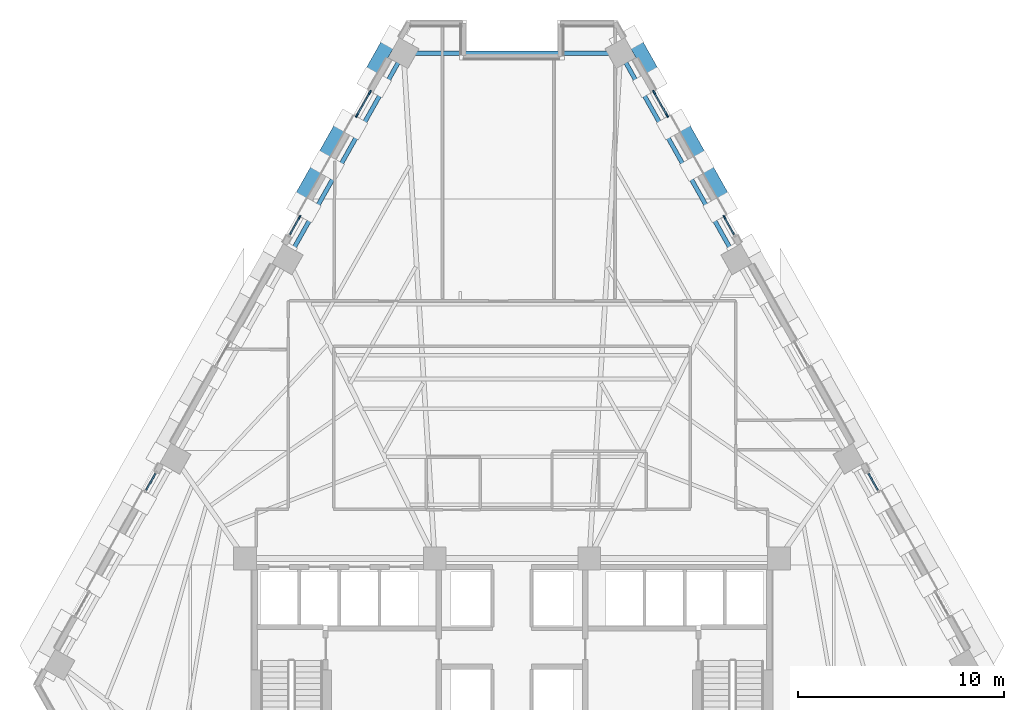
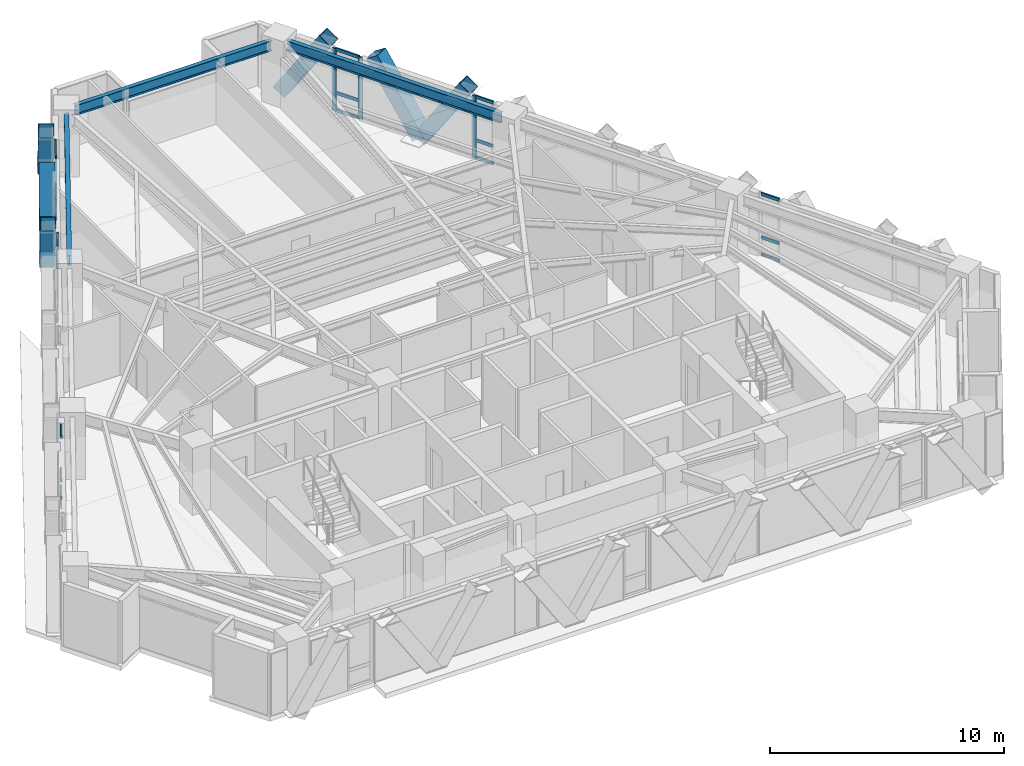
# One storey, part 5 of 13: 30 members, 3 beams, 6 elements without a shape of their own.
"""IFC4 building model written with IfcOpenShell, lengths in metres."""

import ifcopenshell
import ifcopenshell.guid

model = None  # the IFC model being written
_history = None  # IfcOwnerHistory: only IFC2X3 demands one
_inside = {}  # id of a spatial element -> (the spatial element, [elements in it])
_under = {}  # id of a project, library or spatial element -> (it, [spatial elements below it])
_declared = {}  # id of a project -> (the project, [libraries it declares])
_typed = {}  # id of a type object -> (the type object, [elements of that type])
_made_of = {}  # id of a material, layer set ... -> (it, [elements and type objects made of it])


def new_model(schema):
    """Start an empty IFC model of exactly this schema.

    Asked for "IFC4X3", IfcOpenShell would pick the latest addendum, in which some entities
    have other attributes; the version numbers below select the first issue.
    IFC2X3 requires an IfcOwnerHistory on every rooted entity: one is made here for all.
    """
    global model, _history
    if schema == "IFC4X3":
        model = ifcopenshell.file(schema_version=(4, 3, 0, 0))
    else:
        model = ifcopenshell.file(schema=schema)
    _inside.clear()
    _under.clear()
    _declared.clear()
    _typed.clear()
    _made_of.clear()
    _history = None
    if model.schema == "IFC2X3":
        org = make("IfcOrganization", Name="unknown")
        user = make(
            "IfcPersonAndOrganization",
            ThePerson=make("IfcPerson", FamilyName="unknown"),
            TheOrganization=org,
        )
        app = make(
            "IfcApplication",
            ApplicationDeveloper=org,
            Version="unknown",
            ApplicationFullName="unknown",
            ApplicationIdentifier="unknown",
        )
        _history = make(
            "IfcOwnerHistory",
            OwningUser=user,
            OwningApplication=app,
            ChangeAction="ADDED",
            CreationDate=0,
        )
    return model


def make(cls, **values):
    """One entity of the class cls with the attributes given. An attribute that is None is left unset."""
    return model.create_entity(
        cls, **{name: value for name, value in values.items() if value is not None}
    )


def rooted(cls, **values):
    """An entity with a GlobalId (a new one), such as an element, a storey or a relation."""
    return make(cls, GlobalId=ifcopenshell.guid.new(), OwnerHistory=_history, **values)


def si_unit(unit_type, name, prefix=None):
    """IfcSIUnit, for example si_unit("LENGTHUNIT", "METRE", prefix="MILLI")."""
    return make("IfcSIUnit", UnitType=unit_type, Prefix=prefix, Name=name)


def assignment(units):
    """IfcUnitAssignment: the units of a project."""
    return None if units is None else make("IfcUnitAssignment", Units=units)


def point(xyz):
    """IfcCartesianPoint."""
    return None if xyz is None else make("IfcCartesianPoint", Coordinates=xyz)


def direction(xyz):
    """IfcDirection."""
    return None if xyz is None else make("IfcDirection", DirectionRatios=xyz)


def frame(location, z_axis=None, x_axis=None):
    """IfcAxis2Placement3D, a coordinate frame: its origin and axes. An axis left out is left unset."""
    return make(
        "IfcAxis2Placement3D",
        Location=point(location),
        Axis=direction(z_axis),
        RefDirection=direction(x_axis),
    )


def frame_2d(location, x_axis=None):
    """IfcAxis2Placement2D, a coordinate frame in the plane: its origin and x axis."""
    return make(
        "IfcAxis2Placement2D", Location=point(location), RefDirection=direction(x_axis)
    )


def origin():
    """The frame at (0, 0, 0) with its axes left unset."""
    return frame((0.0, 0.0, 0.0))


def origin_2d():
    """The frame at (0, 0) in the plane with its x axis left unset."""
    return frame_2d((0.0, 0.0))


def place(relative_to, where):
    """IfcLocalPlacement: puts the frame where relative to a parent placement (None: the world)."""
    return make(
        "IfcLocalPlacement", PlacementRelTo=relative_to, RelativePlacement=where
    )


def context(
    kind, dimensions, precision=None, world=None, true_north=None, identifier=None
):
    """IfcGeometricRepresentationContext, for example the 3D "Model" context."""
    return make(
        "IfcGeometricRepresentationContext",
        ContextIdentifier=identifier,
        ContextType=kind,
        CoordinateSpaceDimension=dimensions,
        Precision=precision,
        WorldCoordinateSystem=world,
        TrueNorth=true_north,
    )


def subcontext(parent, identifier, kind, view, scale=None):
    """IfcGeometricRepresentationSubContext, for example "Body" below "Model"."""
    return make(
        "IfcGeometricRepresentationSubContext",
        ContextIdentifier=identifier,
        ContextType=kind,
        ParentContext=parent,
        TargetScale=scale,
        TargetView=view,
    )


def project(units=None, contexts=None):
    """IfcProject with its units and contexts."""
    return rooted(
        "IfcProject",
        Name="project",
        RepresentationContexts=contexts,
        UnitsInContext=assignment(units),
    )


def spatial(cls, under=None, at=None, **own):
    """A site, building, storey or space (cls), placed at a placement, below another one or the project."""
    s = rooted(cls, ObjectPlacement=at, **own)
    if under is not None:
        _under.setdefault(under.id(), (under, []))[1].append(s)
    return s


def profile(cls, at=None, kind="AREA", **sizes):
    """A parametric profile (cls). Its sizes go by their IFC names, for example OverallWidth=200.0."""
    return make(cls, ProfileType=kind, Position=at, **sizes)


def rectangle(**sizes):
    """IfcRectangleProfileDef."""
    return profile("IfcRectangleProfileDef", **sizes)


def hollow_rectangle(**sizes):
    """IfcRectangleHollowProfileDef."""
    return profile("IfcRectangleHollowProfileDef", **sizes)


def i_section(**sizes):
    """IfcIShapeProfileDef."""
    return profile("IfcIShapeProfileDef", **sizes)


def extrude(swept, where, along, depth):
    """IfcExtrudedAreaSolid: the profile swept, set in the frame where, extruded along a direction by depth."""
    return make(
        "IfcExtrudedAreaSolid",
        SweptArea=swept,
        Position=where,
        ExtrudedDirection=direction(along),
        Depth=depth,
    )


def shape(context_of_items, identifier, shape_type, items):
    """IfcShapeRepresentation: the items that make up one representation, for example the "Body"."""
    return make(
        "IfcShapeRepresentation",
        ContextOfItems=context_of_items,
        RepresentationIdentifier=identifier,
        RepresentationType=shape_type,
        Items=items,
    )


def material(Name=None, Category=None):
    """IfcMaterial."""
    return make("IfcMaterial", Name=Name, Category=Category)


def material_profile(
    of_material, cross_section, Name=None, Category=None, Priority=None
):
    """IfcMaterialProfile: a cross section and its material."""
    return make(
        "IfcMaterialProfile",
        Name=Name,
        Material=of_material,
        Profile=cross_section,
        Priority=Priority,
        Category=Category,
    )


def profile_set(profiles, Name=None, composite=None):
    """IfcMaterialProfileSet."""
    return make(
        "IfcMaterialProfileSet",
        Name=Name,
        MaterialProfiles=profiles,
        CompositeProfile=composite,
    )


def made_of(thing, what):
    """Note that an element or type object is made of a material, layer set ...; save() writes the relation."""
    if what is not None:
        _made_of.setdefault(what.id(), (what, []))[1].append(thing)
    return thing


def type_object(cls, material=None, **own):
    """A type object (cls), such as IfcWallType, which elements share."""
    return made_of(rooted(cls, **own), material)


def element(
    cls,
    number,
    at=None,
    inside=None,
    cuts=None,
    type_object=None,
    material=None,
    context=None,
    identifier="Body",
    shape_type=None,
    held_by="IfcProductDefinitionShape",
    body=None,
    shapes=None,
    **own,
):
    """One element of the class cls, such as IfcWall. Its Tag is "e" and its number.

    at: its placement. inside: the storey or other place that contains it. cuts: it is an
    opening in that element (IfcRelVoidsElement). A single representation is given by context,
    identifier, shape_type and body (its items); several are given by shapes. held_by: the class
    of the entity that holds the representations. save() writes the other relations.
    """
    e = rooted(cls, Tag="e%d" % number, ObjectPlacement=at, **own)
    if body is not None:
        shapes = [shape(context, identifier, shape_type, body)]
    if shapes is not None:
        e.Representation = make(held_by, Representations=shapes)
    if inside is not None:
        _inside.setdefault(inside.id(), (inside, []))[1].append(e)
    if cuts is not None:
        rooted(
            "IfcRelVoidsElement", RelatingBuildingElement=cuts, RelatedOpeningElement=e
        )
    if type_object is not None:
        _typed.setdefault(type_object.id(), (type_object, []))[1].append(e)
    return made_of(e, material)


def aggregate(whole, parts):
    """IfcRelAggregates: a whole, such as a stair, and the parts it consists of."""
    return rooted("IfcRelAggregates", RelatingObject=whole, RelatedObjects=parts)


def save(model, path):
    """Write the relations noted so far, then the file.

    IfcRelAggregates (storeys below a building ...), IfcRelContainedInSpatialStructure (elements
    in a storey), IfcRelDefinesByType, IfcRelAssociatesMaterial and IfcRelDeclares: one each for
    every whole, place, type object, material and project.
    """
    for whole, parts in _under.values():
        aggregate(whole, parts)
    for where, things in _inside.values():
        rooted(
            "IfcRelContainedInSpatialStructure",
            RelatedElements=things,
            RelatingStructure=where,
        )
    for kind, things in _typed.values():
        rooted("IfcRelDefinesByType", RelatedObjects=things, RelatingType=kind)
    for what, things in _made_of.values():
        rooted("IfcRelAssociatesMaterial", RelatedObjects=things, RelatingMaterial=what)
    for by, libraries in _declared.values():
        rooted("IfcRelDeclares", RelatingContext=by, RelatedDefinitions=libraries)
    model.write(path)


model = new_model("IFC4")

# Units and contexts
model_context = context("Model", 3, precision=1e-05, world=origin(), true_north=direction((0.0, 1.0)))
body_context = subcontext(model_context, "Body", "Model", "MODEL_VIEW")
ifc_project = project(units=[si_unit("LENGTHUNIT", "METRE"), si_unit("AREAUNIT", "SQUARE_METRE"), si_unit("VOLUMEUNIT", "CUBIC_METRE"), si_unit("PLANEANGLEUNIT", "RADIAN"), si_unit("MASSUNIT", "GRAM", prefix="KILO")], contexts=[model_context])

# Site, building, storey
site_placement = place(None, origin())
site = spatial("IfcSite", under=ifc_project, at=site_placement, CompositionType="ELEMENT")
building_placement = place(site_placement, origin())
building = spatial("IfcBuilding", under=site, at=building_placement, Name="Quenlor Broadcast Tower", CompositionType="ELEMENT")
storey_placement = place(building_placement, frame((0.0, 0.0, 76.60009765625)))
storey = spatial("IfcBuildingStorey", under=building, at=storey_placement, Name="L20", CompositionType="ELEMENT", Elevation=76.60009765625)

# Curtain wall, members
ifc_material_1 = material(Name="Architectural Terracotta and Low-E Glazing", Category="masonry")
curtain_wall_type = type_object("IfcCurtainWallType", Name="Unitised Terracotta Curtain Wall System Z2", PredefinedType="NOTDEFINED", material=ifc_material_1)
curtain_wall_1_placement = place(storey_placement, origin())
curtain_wall_1 = element("IfcCurtainWall", 1, at=curtain_wall_1_placement, inside=storey, type_object=curtain_wall_type, Name="L20 Curtain Wall CW2 (L20-NEA-G1)", PredefinedType="NOTDEFINED")
ifc_material_2 = material(Name="Aluminium 6063-T6", Category="aluminium")
ifc_material_profile_1 = material_profile(ifc_material_2, rectangle(XDim=0.074951171875, YDim=0.199951171875, at=origin_2d()))
ifc_profile_set_1 = profile_set([ifc_material_profile_1], Name="Aluminium 6063-T6 MULL75x200")
member_type_1 = type_object("IfcMemberType", Name="CW2 Aluminium Mullion MULL_CW2", PredefinedType="MULLION", material=ifc_profile_set_1)
member_1_placement = place(storey_placement, frame((6.893310546875, 17.81884765625, 0.0), z_axis=(0.0, 0.0, 1.0), x_axis=(0.871583366376, 0.490247320704, 0.0)))
member_1 = element("IfcMember", 2, at=member_1_placement, type_object=member_type_1, Name="CW2 mullion 1", PredefinedType="MULLION", context=body_context, shape_type="SweptSolid", body=[
    extrude(rectangle(XDim=0.074951171875, YDim=0.199951171875, at=origin_2d()), origin(), (0.0, 0.0, 1.0), 3.25),
])
member_2_placement = place(storey_placement, frame((7.525390625, 16.695068359375, 0.0), z_axis=(0.0, 0.0, 1.0), x_axis=(0.871583366376, 0.490247320704, 0.0)))
member_2 = element("IfcMember", 3, at=member_2_placement, type_object=member_type_1, Name="CW2 mullion 2", PredefinedType="MULLION", context=body_context, shape_type="SweptSolid", body=[
    extrude(rectangle(XDim=0.074951171875, YDim=0.199951171875, at=origin_2d()), origin(), (0.0, 0.0, 1.0), 3.25),
])

# Curtain wall, member
curtain_wall_2_placement = place(storey_placement, origin())
curtain_wall_2 = element("IfcCurtainWall", 4, at=curtain_wall_2_placement, inside=storey, type_object=curtain_wall_type, Name="L20 Curtain Wall CW2 (L20-NEA-G2)", PredefinedType="NOTDEFINED")
member_3_placement = place(storey_placement, frame((10.306396484375, 11.751220703125, 0.0), z_axis=(0.0, 0.0, 1.0), x_axis=(0.871580587336, 0.490252261371, 0.0)))
member_3 = element("IfcMember", 5, at=member_3_placement, type_object=member_type_1, Name="CW2 mullion 1", PredefinedType="MULLION", context=body_context, shape_type="SweptSolid", body=[
    extrude(rectangle(XDim=0.074951171875, YDim=0.199951171875, at=origin_2d()), origin(), (0.0, 0.0, 1.0), 3.25),
])

curtain_wall_3_placement = place(storey_placement, origin())
curtain_wall_3 = element("IfcCurtainWall", 6, at=curtain_wall_3_placement, inside=storey, type_object=curtain_wall_type, Name="L20 Curtain Wall CW2 (L20-NWC-G1)", PredefinedType="NOTDEFINED")
member_4_placement = place(storey_placement, frame((-10.306396484375, 11.751220703125, 0.0), z_axis=(0.0, 0.0, 1.0), x_axis=(-0.871580587336, 0.490252261371, 0.0)))
member_4 = element("IfcMember", 7, at=member_4_placement, type_object=member_type_1, Name="CW2 mullion 2", PredefinedType="MULLION", context=body_context, shape_type="SweptSolid", body=[
    extrude(rectangle(XDim=0.074951171875, YDim=0.199951171875, at=origin_2d()), origin(), (0.0, 0.0, 1.0), 3.25),
])

# Curtain wall, members
curtain_wall_4_placement = place(storey_placement, origin())
curtain_wall_4 = element("IfcCurtainWall", 8, at=curtain_wall_4_placement, inside=storey, type_object=curtain_wall_type, Name="L20 Curtain Wall CW2 (L20-NWC-G2)", PredefinedType="NOTDEFINED")
member_5_placement = place(storey_placement, frame((-7.525390625, 16.695068359375, 0.0), z_axis=(0.0, 0.0, 1.0), x_axis=(-0.871583366376, 0.490247320704, 0.0)))
member_5 = element("IfcMember", 9, at=member_5_placement, type_object=member_type_1, Name="CW2 mullion 1", PredefinedType="MULLION", context=body_context, shape_type="SweptSolid", body=[
    extrude(rectangle(XDim=0.074951171875, YDim=0.199951171875, at=origin_2d()), origin(), (0.0, 0.0, 1.0), 3.25),
])
member_6_placement = place(storey_placement, frame((-6.893310546875, 17.81884765625, 0.0), z_axis=(0.0, 0.0, 1.0), x_axis=(-0.871583366376, 0.490247320704, 0.0)))
member_6 = element("IfcMember", 10, at=member_6_placement, type_object=member_type_1, Name="CW2 mullion 2", PredefinedType="MULLION", context=body_context, shape_type="SweptSolid", body=[
    extrude(rectangle(XDim=0.074951171875, YDim=0.199951171875, at=origin_2d()), origin(), (0.0, 0.0, 1.0), 3.25),
])

# Member
ifc_material_3 = material(Name="Aluminium 6063-T6", Category="aluminium")
ifc_material_profile_2 = material_profile(ifc_material_3, rectangle(XDim=0.074951171875, YDim=0.1650390625, at=origin_2d()))
ifc_profile_set_2 = profile_set([ifc_material_profile_2], Name="Aluminium 6063-T6 TRAN75x165")
member_type_2 = type_object("IfcMemberType", Name="CW2 Aluminium Transom TRAN_CW2", PredefinedType="USERDEFINED", material=ifc_profile_set_2)
member_7_placement = place(storey_placement, frame((6.91162109375, 17.7861328125, 0.037353515625), z_axis=(0.490347143438, -0.871527210661, 0.0), x_axis=(0.871527210661, 0.490347143438, 0.0)))
member_7 = element("IfcMember", 11, at=member_7_placement, type_object=member_type_2, Name="CW2 transom 1.1", ObjectType="TRANSOM", PredefinedType="USERDEFINED", context=body_context, shape_type="SweptSolid", body=[
    extrude(rectangle(XDim=0.074951171875, YDim=0.1650390625, at=origin_2d()), origin(), (0.0, 0.0, 1.0), 1.21435546875),
])

member_8_placement = place(storey_placement, frame((6.91162109375, 17.7861328125, 0.949951171875), z_axis=(0.490347143438, -0.871527210661, 0.0), x_axis=(0.871527210661, 0.490347143438, 0.0)))
member_8 = element("IfcMember", 12, at=member_8_placement, type_object=member_type_2, Name="CW2 transom 1.2", ObjectType="TRANSOM", PredefinedType="USERDEFINED", context=body_context, shape_type="SweptSolid", body=[
    extrude(rectangle(XDim=0.074951171875, YDim=0.1650390625, at=origin_2d()), origin(), (0.0, 0.0, 1.0), 1.21435546875),
])

member_9_placement = place(storey_placement, frame((6.91162109375, 17.7861328125, 3.21240234375), z_axis=(0.490347143438, -0.871527210661, 0.0), x_axis=(0.871527210661, 0.490347143438, 0.0)))
member_9 = element("IfcMember", 13, at=member_9_placement, type_object=member_type_2, Name="CW2 transom 1.3", ObjectType="TRANSOM", PredefinedType="USERDEFINED", context=body_context, shape_type="SweptSolid", body=[
    extrude(rectangle(XDim=0.074951171875, YDim=0.1650390625, at=origin_2d()), origin(), (0.0, 0.0, 1.0), 1.21435546875),
])

aggregate(curtain_wall_1, [member_1, member_2, member_7, member_8, member_9])

member_10_placement = place(storey_placement, frame((10.32470703125, 11.718505859375, 0.037353515625), z_axis=(0.490363403455, -0.871518062092, 0.0), x_axis=(0.871518062092, 0.490363403455, 0.0)))
member_10 = element("IfcMember", 14, at=member_10_placement, type_object=member_type_2, Name="CW2 transom 1.1", ObjectType="TRANSOM", PredefinedType="USERDEFINED", context=body_context, shape_type="SweptSolid", body=[
    extrude(rectangle(XDim=0.074951171875, YDim=0.1650390625, at=origin_2d()), origin(), (0.0, 0.0, 1.0), 0.90771484375),
])

member_11_placement = place(storey_placement, frame((10.32470703125, 11.718505859375, 0.949951171875), z_axis=(0.490363403455, -0.871518062092, 0.0), x_axis=(0.871518062092, 0.490363403455, 0.0)))
member_11 = element("IfcMember", 15, at=member_11_placement, type_object=member_type_2, Name="CW2 transom 1.2", ObjectType="TRANSOM", PredefinedType="USERDEFINED", context=body_context, shape_type="SweptSolid", body=[
    extrude(rectangle(XDim=0.074951171875, YDim=0.1650390625, at=origin_2d()), origin(), (0.0, 0.0, 1.0), 0.90771484375),
])

member_12_placement = place(storey_placement, frame((10.32470703125, 11.718505859375, 3.21240234375), z_axis=(0.490363403455, -0.871518062092, 0.0), x_axis=(0.871518062092, 0.490363403455, 0.0)))
member_12 = element("IfcMember", 16, at=member_12_placement, type_object=member_type_2, Name="CW2 transom 1.3", ObjectType="TRANSOM", PredefinedType="USERDEFINED", context=body_context, shape_type="SweptSolid", body=[
    extrude(rectangle(XDim=0.074951171875, YDim=0.1650390625, at=origin_2d()), origin(), (0.0, 0.0, 1.0), 0.90771484375),
])

aggregate(curtain_wall_2, [member_3, member_10, member_11, member_12])

# Curtain wall, members
curtain_wall_5_placement = place(storey_placement, origin())
curtain_wall_5 = element("IfcCurtainWall", 17, at=curtain_wall_5_placement, inside=storey, type_object=curtain_wall_type, Name="L20 Curtain Wall CW2 (L20-NEC-G1)", PredefinedType="NOTDEFINED")
member_13_placement = place(storey_placement, frame((17.30126953125, -0.684326171875, 0.037353515625), z_axis=(0.490363403455, -0.871518062092, 0.0), x_axis=(0.871518062092, 0.490363403455, 0.0)))
member_13 = element("IfcMember", 18, at=member_13_placement, type_object=member_type_2, Name="CW2 transom 1.1", ObjectType="TRANSOM", PredefinedType="USERDEFINED", context=body_context, shape_type="SweptSolid", body=[
    extrude(rectangle(XDim=0.074951171875, YDim=0.1650390625, at=origin_2d()), origin(), (0.0, 0.0, 1.0), 0.90771484375),
])
member_14_placement = place(storey_placement, frame((17.30126953125, -0.684326171875, 0.949951171875), z_axis=(0.490363403455, -0.871518062092, 0.0), x_axis=(0.871518062092, 0.490363403455, 0.0)))
member_14 = element("IfcMember", 19, at=member_14_placement, type_object=member_type_2, Name="CW2 transom 1.2", ObjectType="TRANSOM", PredefinedType="USERDEFINED", context=body_context, shape_type="SweptSolid", body=[
    extrude(rectangle(XDim=0.074951171875, YDim=0.1650390625, at=origin_2d()), origin(), (0.0, 0.0, 1.0), 0.90771484375),
])
member_15_placement = place(storey_placement, frame((17.30126953125, -0.684326171875, 3.21240234375), z_axis=(0.490363403455, -0.871518062092, 0.0), x_axis=(0.871518062092, 0.490363403455, 0.0)))
member_15 = element("IfcMember", 20, at=member_15_placement, type_object=member_type_2, Name="CW2 transom 1.3", ObjectType="TRANSOM", PredefinedType="USERDEFINED", context=body_context, shape_type="SweptSolid", body=[
    extrude(rectangle(XDim=0.074951171875, YDim=0.1650390625, at=origin_2d()), origin(), (0.0, 0.0, 1.0), 0.90771484375),
])
aggregate(curtain_wall_5, [member_13, member_14, member_15])

curtain_wall_6_placement = place(storey_placement, origin())
curtain_wall_6 = element("IfcCurtainWall", 21, at=curtain_wall_6_placement, inside=storey, type_object=curtain_wall_type, Name="L20 Curtain Wall CW2 (L20-NWA-G2)", PredefinedType="NOTDEFINED")
member_16_placement = place(storey_placement, frame((-17.746337890625, -1.475341796875, 0.037353515625), z_axis=(0.490363403455, 0.871518062092, 0.0), x_axis=(-0.871518062092, 0.490363403455, 0.0)))
member_16 = element("IfcMember", 22, at=member_16_placement, type_object=member_type_2, Name="CW2 transom 1.1", ObjectType="TRANSOM", PredefinedType="USERDEFINED", context=body_context, shape_type="SweptSolid", body=[
    extrude(rectangle(XDim=0.074951171875, YDim=0.1650390625, at=origin_2d()), origin(), (0.0, 0.0, 1.0), 0.90771484375),
])
member_17_placement = place(storey_placement, frame((-17.746337890625, -1.475341796875, 0.949951171875), z_axis=(0.490363403455, 0.871518062092, 0.0), x_axis=(-0.871518062092, 0.490363403455, 0.0)))
member_17 = element("IfcMember", 23, at=member_17_placement, type_object=member_type_2, Name="CW2 transom 1.2", ObjectType="TRANSOM", PredefinedType="USERDEFINED", context=body_context, shape_type="SweptSolid", body=[
    extrude(rectangle(XDim=0.074951171875, YDim=0.1650390625, at=origin_2d()), origin(), (0.0, 0.0, 1.0), 0.90771484375),
])
member_18_placement = place(storey_placement, frame((-17.746337890625, -1.475341796875, 3.21240234375), z_axis=(0.490363403455, 0.871518062092, 0.0), x_axis=(-0.871518062092, 0.490363403455, 0.0)))
member_18 = element("IfcMember", 24, at=member_18_placement, type_object=member_type_2, Name="CW2 transom 1.3", ObjectType="TRANSOM", PredefinedType="USERDEFINED", context=body_context, shape_type="SweptSolid", body=[
    extrude(rectangle(XDim=0.074951171875, YDim=0.1650390625, at=origin_2d()), origin(), (0.0, 0.0, 1.0), 0.90771484375),
])
aggregate(curtain_wall_6, [member_16, member_17, member_18])

# Member
member_19_placement = place(storey_placement, frame((-10.769775390625, 10.927490234375, 0.037353515625), z_axis=(0.490363403455, 0.871518062092, 0.0), x_axis=(-0.871518062092, 0.490363403455, 0.0)))
member_19 = element("IfcMember", 25, at=member_19_placement, type_object=member_type_2, Name="CW2 transom 1.1", ObjectType="TRANSOM", PredefinedType="USERDEFINED", context=body_context, shape_type="SweptSolid", body=[
    extrude(rectangle(XDim=0.074951171875, YDim=0.1650390625, at=origin_2d()), origin(), (0.0, 0.0, 1.0), 0.90771484375),
])

member_20_placement = place(storey_placement, frame((-10.769775390625, 10.927490234375, 0.949951171875), z_axis=(0.490363403455, 0.871518062092, 0.0), x_axis=(-0.871518062092, 0.490363403455, 0.0)))
member_20 = element("IfcMember", 26, at=member_20_placement, type_object=member_type_2, Name="CW2 transom 1.2", ObjectType="TRANSOM", PredefinedType="USERDEFINED", context=body_context, shape_type="SweptSolid", body=[
    extrude(rectangle(XDim=0.074951171875, YDim=0.1650390625, at=origin_2d()), origin(), (0.0, 0.0, 1.0), 0.90771484375),
])

member_21_placement = place(storey_placement, frame((-10.769775390625, 10.927490234375, 3.21240234375), z_axis=(0.490363403455, 0.871518062092, 0.0), x_axis=(-0.871518062092, 0.490363403455, 0.0)))
member_21 = element("IfcMember", 27, at=member_21_placement, type_object=member_type_2, Name="CW2 transom 1.3", ObjectType="TRANSOM", PredefinedType="USERDEFINED", context=body_context, shape_type="SweptSolid", body=[
    extrude(rectangle(XDim=0.074951171875, YDim=0.1650390625, at=origin_2d()), origin(), (0.0, 0.0, 1.0), 0.90771484375),
])

aggregate(curtain_wall_3, [member_4, member_19, member_20, member_21])

member_22_placement = place(storey_placement, frame((-7.507080078125, 16.727783203125, 0.037353515625), z_axis=(0.490347143438, 0.871527210661, 0.0), x_axis=(-0.871527210661, 0.490347143438, 0.0)))
member_22 = element("IfcMember", 28, at=member_22_placement, type_object=member_type_2, Name="CW2 transom 1.1", ObjectType="TRANSOM", PredefinedType="USERDEFINED", context=body_context, shape_type="SweptSolid", body=[
    extrude(rectangle(XDim=0.074951171875, YDim=0.1650390625, at=origin_2d()), origin(), (0.0, 0.0, 1.0), 1.21435546875),
])

member_23_placement = place(storey_placement, frame((-7.507080078125, 16.727783203125, 0.949951171875), z_axis=(0.490347143438, 0.871527210661, 0.0), x_axis=(-0.871527210661, 0.490347143438, 0.0)))
member_23 = element("IfcMember", 29, at=member_23_placement, type_object=member_type_2, Name="CW2 transom 1.2", ObjectType="TRANSOM", PredefinedType="USERDEFINED", context=body_context, shape_type="SweptSolid", body=[
    extrude(rectangle(XDim=0.074951171875, YDim=0.1650390625, at=origin_2d()), origin(), (0.0, 0.0, 1.0), 1.21435546875),
])

member_24_placement = place(storey_placement, frame((-7.507080078125, 16.727783203125, 3.21240234375), z_axis=(0.490347143438, 0.871527210661, 0.0), x_axis=(-0.871527210661, 0.490347143438, 0.0)))
member_24 = element("IfcMember", 30, at=member_24_placement, type_object=member_type_2, Name="CW2 transom 1.3", ObjectType="TRANSOM", PredefinedType="USERDEFINED", context=body_context, shape_type="SweptSolid", body=[
    extrude(rectangle(XDim=0.074951171875, YDim=0.1650390625, at=origin_2d()), origin(), (0.0, 0.0, 1.0), 1.21435546875),
])

aggregate(curtain_wall_4, [member_5, member_6, member_22, member_23, member_24])

# Members
ifc_material_4 = material(Name="Steel S355", Category="steel")
ifc_material_profile_3 = material_profile(ifc_material_4, hollow_rectangle(XDim=0.679931640625, YDim=0.679931640625, WallThickness=0.030029296875, at=origin_2d()))
ifc_profile_set_3 = profile_set([ifc_material_profile_3], Name="Steel S355 RHS680x680x30")
member_type_3 = type_object("IfcMemberType", Name="Perimeter Diagonal Lattice Brace Z2 Steel S355 RHS680x30", PredefinedType="BRACE", material=ifc_profile_set_3)
for number, where, z_axis, x_axis, name in (
    (31, (5.85400390625, 20.472412109375, -0.1201171875), (0.26858823371, -0.477600411236, 0.836515515636), (0.871623880158, 0.490175286544, 0.0), "L20 Perimeter Diamond Lattice NE-C1S"),
    (32, (9.25341796875, 14.428955078125, -0.1201171875), (-0.268642373731, 0.477592925498, 0.83650240439), (-0.871578380919, -0.490256183964, 0.0), "L20 Perimeter Diamond Lattice NE-C1B"),
    (33, (9.26708984375, 14.40478515625, -0.1201171875), (0.268642373731, -0.477592925498, 0.83650240439), (0.871578380919, 0.490256183964, 0.0), "L20 Perimeter Diamond Lattice NE-C2S"),
    (34, (-9.26708984375, 14.40478515625, -0.1201171875), (-0.268642373731, -0.477592925498, 0.83650240439), (0.871578380919, -0.490256183964, 0.0), "L20 Perimeter Diamond Lattice NW-C4B"),
    (35, (-9.25341796875, 14.428955078125, -0.1201171875), (0.268642373731, 0.477592925498, 0.83650240439), (-0.871578380919, 0.490256183964, 0.0), "L20 Perimeter Diamond Lattice NW-C5S"),
    (36, (-5.85400390625, 20.472412109375, -0.1201171875), (-0.26858823371, -0.477600411236, 0.836515515636), (0.871623880158, -0.490175286544, 0.0), "L20 Perimeter Diamond Lattice NW-C5B"),
):
    element("IfcMember", number, at=place(storey_placement, frame(where, z_axis=z_axis, x_axis=x_axis)), inside=storey, type_object=member_type_3, Name=name, PredefinedType="BRACE", context=body_context, shape_type="SweptSolid", body=[
        extrude(hollow_rectangle(XDim=0.679931640625, YDim=0.679931640625, WallThickness=0.030029296875, at=origin_2d()), origin(), (0.0, 0.0, 1.0), 4.18408203125),
    ])

# Beams
ifc_material_5 = material(Name="Steel S355", Category="steel")
ifc_material_profile_4 = material_profile(ifc_material_5, i_section(OverallWidth=0.208984375, OverallDepth=0.5283203125, WebThickness=0.009521484375, FlangeThickness=0.01318359375, FilletRadius=0.013916015625, at=origin_2d()))
ifc_profile_set_4 = profile_set([ifc_material_profile_4], Name="Steel S355 530UB82.0")
beam_type = type_object("IfcBeamType", Name="Perimeter Spandrel Beam Z2 Steel S355 530UB82.0", PredefinedType="SPANDREL", material=ifc_profile_set_4)
beam_1_placement = place(storey_placement, frame((10.685791015625, 10.076904296875, 2.98583984375), z_axis=(-0.490236213386, 0.871589613916, 0.0), x_axis=(-0.871589613916, -0.490236213386, 0.0)))
element("IfcBeam", 37, at=beam_1_placement, inside=storey, type_object=beam_type, Name="L20 Spandrel Beam NE3-NE4", PredefinedType="SPANDREL", context=body_context, shape_type="SweptSolid", body=[
    extrude(i_section(OverallWidth=0.208984375, OverallDepth=0.5283203125, WebThickness=0.009521484375, FlangeThickness=0.01318359375, FilletRadius=0.013916015625, at=origin_2d()), origin(), (0.0, 0.0, 1.0), 10.65283203125),
])
beam_2_placement = place(storey_placement, frame((4.852294921875, 19.718994140625, 2.98583984375), z_axis=(-1.0, 0.0, 0.0), x_axis=(0.0, -1.0, 0.0)))
element("IfcBeam", 38, at=beam_2_placement, inside=storey, type_object=beam_type, Name="L20 Spandrel Beam NE4-NW1", PredefinedType="SPANDREL", context=body_context, shape_type="SweptSolid", body=[
    extrude(i_section(OverallWidth=0.208984375, OverallDepth=0.5283203125, WebThickness=0.009521484375, FlangeThickness=0.01318359375, FilletRadius=0.013916015625, at=origin_2d()), origin(), (0.0, 0.0, 1.0), 9.70458984375),
])
beam_3_placement = place(storey_placement, frame((-5.46337890625, 19.36181640625, 2.98583984375), z_axis=(-0.490236213386, -0.871589613916, 0.0), x_axis=(0.871589613916, -0.490236213386, 0.0)))
element("IfcBeam", 39, at=beam_3_placement, inside=storey, type_object=beam_type, Name="L20 Spandrel Beam NW1-NW2", PredefinedType="SPANDREL", context=body_context, shape_type="SweptSolid", body=[
    extrude(i_section(OverallWidth=0.208984375, OverallDepth=0.5283203125, WebThickness=0.009521484375, FlangeThickness=0.01318359375, FilletRadius=0.013916015625, at=origin_2d()), origin(), (0.0, 0.0, 1.0), 10.65283203125),
])

save(model, "model.ifc")
